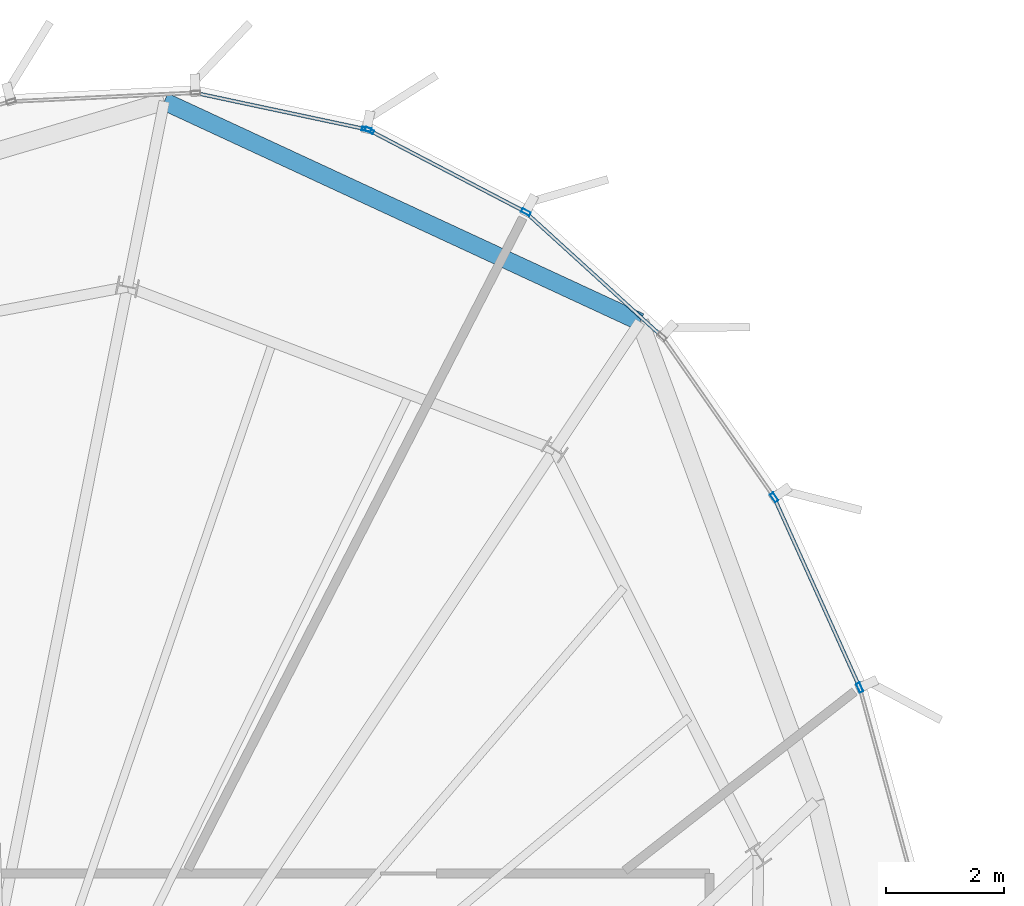
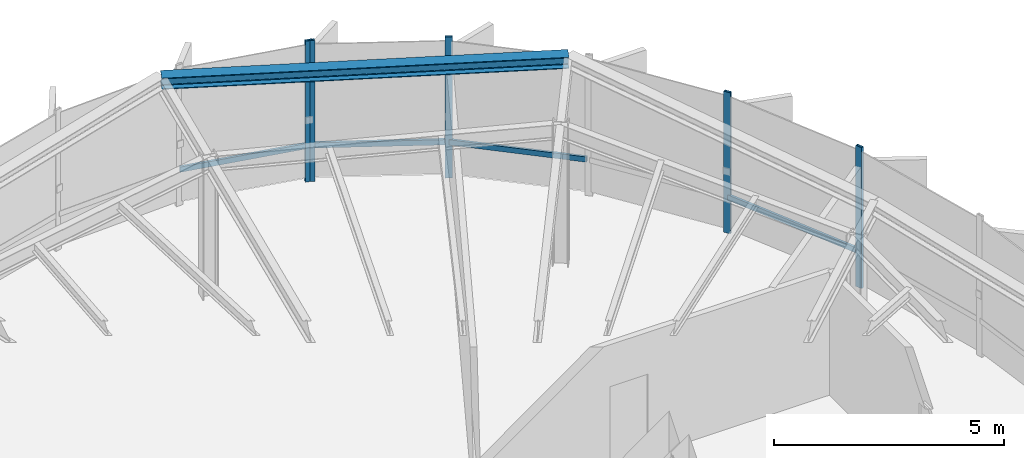
# One storey, part 19 of 26: 9 members, 1 beam, 2 elements without a shape of their own.
"""IFC4 building model written with IfcOpenShell, lengths in metres."""

from ifc_helpers import new_model, si_unit, direction, frame, origin, origin_2d, place, context, subcontext, project, spatial, hollow_rectangle, i_section, extrude, source, transform, mapped, material, layer, layer_set, material_profile, profile_set, type_object, element, aggregate, save


model = new_model("IFC4")

# Units and contexts
model_context = context("Model", 3, precision=1e-05, world=origin(), true_north=direction((0.0, 1.0)))
body_context = subcontext(model_context, "Body", "Model", "MODEL_VIEW")
ifc_project = project(units=[si_unit("LENGTHUNIT", "METRE"), si_unit("AREAUNIT", "SQUARE_METRE"), si_unit("VOLUMEUNIT", "CUBIC_METRE"), si_unit("PLANEANGLEUNIT", "RADIAN"), si_unit("MASSUNIT", "GRAM", prefix="KILO"), si_unit("THERMODYNAMICTEMPERATUREUNIT", "KELVIN")], contexts=[model_context])

# Site, building, storey
site_placement = place(None, origin())
site = spatial("IfcSite", under=ifc_project, at=site_placement, CompositionType="ELEMENT")
building_placement = place(site_placement, origin())
building = spatial("IfcBuilding", under=site, at=building_placement, Name="Kethvar Cultural Tower", CompositionType="ELEMENT")
storey_placement = place(building_placement, frame((0.0, 0.0, 316.300048828125)))
storey = spatial("IfcBuildingStorey", under=building, at=storey_placement, Name="L84", CompositionType="ELEMENT", Elevation=316.300048828125)

# Beam
ifc_material_1 = material(Name="Steel S355J2", Category="steel")
ifc_material_profile_1 = material_profile(ifc_material_1, i_section(OverallWidth=0.300048828125, OverallDepth=0.300048828125, WebThickness=0.010986328125, FlangeThickness=0.01904296875, FilletRadius=0.027099609375, at=origin_2d()), Name="Steel S355J2 — HEB300")
ifc_profile_set_1 = profile_set([ifc_material_profile_1], Name="Steel S355J2 — HEB300")
beam_type = type_object("IfcBeamType", Name="BM-SP300", PredefinedType="SPANDREL", material=ifc_profile_set_1)
shared_shape_1 = source(origin(), body_context, "Body", "SweptSolid", [
    extrude(i_section(OverallWidth=0.300048828125, OverallDepth=0.300048828125, WebThickness=0.010986328125, FlangeThickness=0.01904296875, FilletRadius=0.027099609375, at=origin_2d()), origin(), (0.0, 0.0, 1.0), 8.873779296875),
])
beam_placement = place(storey_placement, frame((59.32080078125, 46.538818359375, 3.5830078125), z_axis=(-0.907305230621, 0.420472613244, 0.0), x_axis=(-0.420472613244, -0.907305230621, 0.0)))
element("IfcBeam", 1, at=beam_placement, inside=storey, type_object=beam_type, Name="L84 Perimeter Spandrel Beam SP-03", PredefinedType="SPANDREL", context=body_context, shape_type="MappedRepresentation", body=[
    mapped(shared_shape_1, transform((0.0, 0.0, 0.0), scale=1.0)),
])

# Curtain wall, member
ifc_material_2 = material(Name="Aluminium 6063-T6", Category="aluminium")
ifc_layer = layer(ifc_material_2, 0.179931640625, Name="Aluminium 6063-T6", Category="aluminium")
ifc_layer_set = layer_set([ifc_layer], Name="Aluminium 6063-T6 (180 mm)")
curtain_wall_type = type_object("IfcCurtainWallType", Name="CW-SYS-06-CROWN", PredefinedType="NOTDEFINED", material=ifc_layer_set)
curtain_wall_1_placement = place(storey_placement, origin())
curtain_wall_1 = element("IfcCurtainWall", 2, at=curtain_wall_1_placement, inside=storey, type_object=curtain_wall_type, Name="L84 Curtain Wall Run 01", PredefinedType="NOTDEFINED")
ifc_material_profile_2 = material_profile(ifc_material_2, hollow_rectangle(XDim=0.06494140625, YDim=0.159912109375, WallThickness=0.0048828125, at=origin_2d()), Name="Aluminium 6063-T6 — RHS160x65x5")
ifc_profile_set_2 = profile_set([ifc_material_profile_2], Name="Aluminium 6063-T6 — RHS160x65x5")
member_type_1 = type_object("IfcMemberType", Name="CW-SYS-06-CROWN-MUL", PredefinedType="MULLION", material=ifc_profile_set_2)
shared_shape_2 = source(origin(), body_context, "Body", "SweptSolid", [
    extrude(hollow_rectangle(XDim=0.06494140625, YDim=0.159912109375, WallThickness=0.0048828125, at=origin_2d()), origin(), (0.0, 0.0, 1.0), 3.73486328125),
])
member_1_placement = place(storey_placement, frame((54.69189453125, 49.796142578125, 0.0), z_axis=(0.0, 0.0, 1.0), x_axis=(-0.208133620115, -0.97810040189, 0.0)))
member_1 = element("IfcMember", 3, at=member_1_placement, type_object=member_type_1, Name="CW-L84-R01 Mullion 1", PredefinedType="MULLION", context=body_context, shape_type="MappedRepresentation", body=[
    mapped(shared_shape_2, transform((0.0, 0.0, 0.0), scale=1.0)),
])

# Curtain wall, members
curtain_wall_2_placement = place(storey_placement, origin())
curtain_wall_2 = element("IfcCurtainWall", 4, at=curtain_wall_2_placement, inside=storey, type_object=curtain_wall_type, Name="L84 Curtain Wall Run 06", PredefinedType="NOTDEFINED")
member_2_placement = place(storey_placement, frame((63.039794921875, 40.3486328125, 0.0), z_axis=(0.0, 0.0, 1.0), x_axis=(-0.911683174415, -0.410893890789, 0.0)))
member_2 = element("IfcMember", 5, at=member_2_placement, type_object=member_type_1, Name="CW-L84-R06 Mullion 3", PredefinedType="MULLION", context=body_context, shape_type="MappedRepresentation", body=[
    mapped(shared_shape_2, transform((0.0, 0.0, 0.0), scale=1.0)),
])
member_3_placement = place(storey_placement, frame((61.591796875, 43.56640625, 0.0), z_axis=(0.0, 0.0, 1.0), x_axis=(-0.820012049781, -0.572346257272, 0.0)))
member_3 = element("IfcMember", 6, at=member_3_placement, type_object=member_type_1, Name="CW-L84-R06 Mullion 4", PredefinedType="MULLION", context=body_context, shape_type="MappedRepresentation", body=[
    mapped(shared_shape_2, transform((0.0, 0.0, 0.0), scale=1.0)),
])
member_4_placement = place(storey_placement, frame((57.388671875, 48.394775390625, 0.0), z_axis=(0.0, 0.0, 1.0), x_axis=(-0.463094949982, -0.886308674955, 0.0)))
member_4 = element("IfcMember", 7, at=member_4_placement, type_object=member_type_1, Name="CW-L84-R06 Mullion 6", PredefinedType="MULLION", context=body_context, shape_type="MappedRepresentation", body=[
    mapped(shared_shape_2, transform((0.0, 0.0, 0.0), scale=1.0)),
])
member_5_placement = place(storey_placement, frame((54.739990234375, 49.77880859375, 0.0), z_axis=(0.0, 0.0, 1.0), x_axis=(-0.463094949982, -0.886308674955, 0.0)))
member_5 = element("IfcMember", 8, at=member_5_placement, type_object=member_type_1, Name="CW-L84-R06 Mullion 7", PredefinedType="MULLION", context=body_context, shape_type="MappedRepresentation", body=[
    mapped(shared_shape_2, transform((0.0, 0.0, 0.0), scale=1.0)),
])

# Member
ifc_material_profile_3 = material_profile(ifc_material_2, hollow_rectangle(XDim=0.06005859375, YDim=0.139892578125, WallThickness=0.0048828125, at=origin_2d()), Name="Aluminium 6063-T6 — RHS140x60x5")
ifc_profile_set_3 = profile_set([ifc_material_profile_3], Name="Aluminium 6063-T6 — RHS140x60x5")
member_type_2 = type_object("IfcMemberType", Name="CW-SYS-06-CROWN-TRN", PredefinedType="USERDEFINED", material=ifc_profile_set_3)
shared_shape_3 = source(origin(), body_context, "Body", "SweptSolid", [
    extrude(hollow_rectangle(XDim=0.06005859375, YDim=0.139892578125, WallThickness=0.0048828125, at=origin_2d()), origin(), (0.0, 0.0, 1.0), 2.93701171875),
])
member_6_placement = place(storey_placement, frame((54.6875, 49.797119140625, 0.949951171875), z_axis=(-0.978099448648, 0.208138099721, 0.0), x_axis=(-0.208138099721, -0.978099448648, 0.0)))
member_6 = element("IfcMember", 9, at=member_6_placement, type_object=member_type_2, Name="CW-L84-R01 Transom 1", ObjectType="TRANSOM", PredefinedType="USERDEFINED", context=body_context, shape_type="MappedRepresentation", body=[
    mapped(shared_shape_3, transform((0.0, 0.0, 0.0), scale=1.0)),
])

aggregate(curtain_wall_1, [member_1, member_6])

member_7_placement = place(storey_placement, frame((57.34716796875, 48.41650390625, 0.949951171875), z_axis=(-0.88630454541, 0.463102853356, 0.0), x_axis=(-0.463102853356, -0.88630454541, 0.0)))
member_7 = element("IfcMember", 10, at=member_7_placement, type_object=member_type_2, Name="CW-L84-R06 Transom 6", ObjectType="TRANSOM", PredefinedType="USERDEFINED", context=body_context, shape_type="MappedRepresentation", body=[
    mapped(shared_shape_3, transform((0.0, 0.0, 0.0), scale=1.0)),
])

shared_shape_4 = source(origin(), body_context, "Body", "SweptSolid", [
    extrude(hollow_rectangle(XDim=0.06005859375, YDim=0.139892578125, WallThickness=0.0048828125, at=origin_2d()), origin(), (0.0, 0.0, 1.0), 3.456787109375),
])
member_8_placement = place(storey_placement, frame((63.0205078125, 40.391357421875, 0.949951171875), z_axis=(-0.410890251171, 0.911684814776, 0.0), x_axis=(-0.911684814776, -0.410890251171, 0.0)))
member_8 = element("IfcMember", 11, at=member_8_placement, type_object=member_type_2, Name="CW-L84-R06 Transom 3", ObjectType="TRANSOM", PredefinedType="USERDEFINED", context=body_context, shape_type="MappedRepresentation", body=[
    mapped(shared_shape_4, transform((0.0, 0.0, 0.0), scale=1.0)),
])

shared_shape_5 = source(origin(), body_context, "Body", "SweptSolid", [
    extrude(hollow_rectangle(XDim=0.06005859375, YDim=0.139892578125, WallThickness=0.0048828125, at=origin_2d()), origin(), (0.0, 0.0, 1.0), 3.058349609375),
])
member_9_placement = place(storey_placement, frame((59.659423828125, 46.322021484375, 0.949951171875), z_axis=(-0.739383540377, 0.673284471987, 0.0), x_axis=(-0.673284471987, -0.739383540377, 0.0)))
member_9 = element("IfcMember", 12, at=member_9_placement, type_object=member_type_2, Name="CW-L84-R06 Transom 5", ObjectType="TRANSOM", PredefinedType="USERDEFINED", context=body_context, shape_type="MappedRepresentation", body=[
    mapped(shared_shape_5, transform((0.0, 0.0, 0.0), scale=1.0)),
])

aggregate(curtain_wall_2, [member_2, member_3, member_4, member_5, member_8, member_9, member_7])

save(model, "model.ifc")
